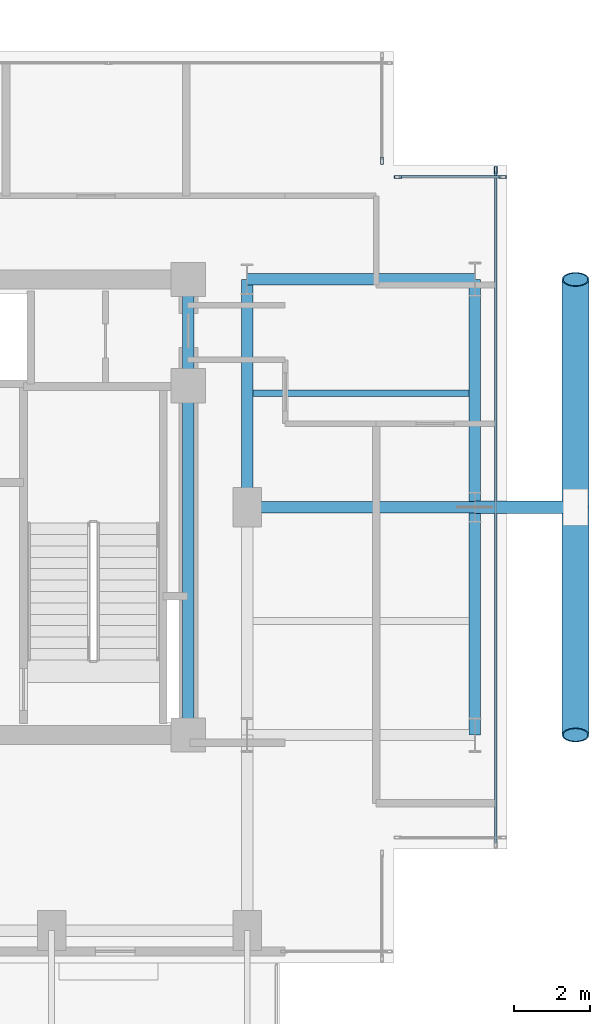
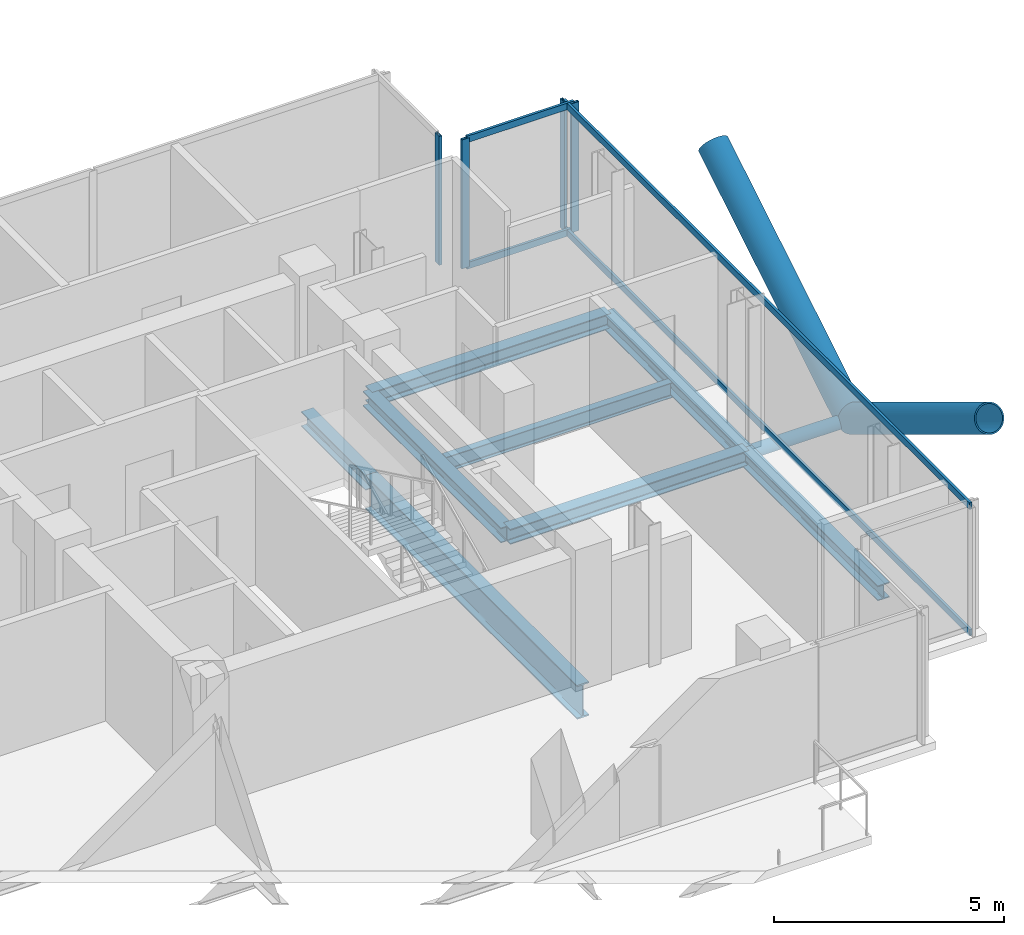
# One storey, part 12 of 25: 11 members, 8 beams, 3 elements without a shape of their own.
"""IFC4 building model written with IfcOpenShell, lengths in metres."""

from ifc_helpers import new_model, si_unit, direction, frame, origin, origin_2d, place, context, subcontext, project, spatial, hollow_rectangle, hollow_circle, i_section, extrude, material, layer, layer_set, material_profile, profile_set, type_object, element, aggregate, save


model = new_model("IFC4")

# Units and contexts
model_context = context("Model", 3, precision=1e-05, world=origin(), true_north=direction((0.0, 1.0)))
body_context = subcontext(model_context, "Body", "Model", "MODEL_VIEW")
ifc_project = project(units=[si_unit("LENGTHUNIT", "METRE"), si_unit("AREAUNIT", "SQUARE_METRE"), si_unit("VOLUMEUNIT", "CUBIC_METRE"), si_unit("PLANEANGLEUNIT", "RADIAN"), si_unit("MASSUNIT", "GRAM", prefix="KILO"), si_unit("THERMODYNAMICTEMPERATUREUNIT", "KELVIN"), si_unit("POWERUNIT", "WATT")], contexts=[model_context])

# Site, building, storey
site_placement = place(None, origin())
site = spatial("IfcSite", under=ifc_project, at=site_placement, CompositionType="ELEMENT")
building_placement = place(site_placement, origin())
building = spatial("IfcBuilding", under=site, at=building_placement, Name="Svarakhadi Broadcast Tower", CompositionType="ELEMENT")
storey_placement = place(building_placement, frame((0.0, 0.0, 231.14990234375)))
storey = spatial("IfcBuildingStorey", under=building, at=storey_placement, Name="L57", CompositionType="ELEMENT", Elevation=231.14990234375)

# Beam
ifc_material_1 = material(Name="Steel S355J2 (IS 2062 E350C)", Category="steel")
ifc_material_profile_1 = material_profile(ifc_material_1, i_section(OverallWidth=0.179931640625, OverallDepth=0.39990234375, WebThickness=0.008544921875, FlangeThickness=0.013427734375, FilletRadius=0.02099609375, at=origin_2d()), Name="NPB 400x180x66")
ifc_profile_set_1 = profile_set([ifc_material_profile_1], Name="Steel S355J2 (IS 2062 E350C)")
beam_type_1 = type_object("IfcBeamType", Name="Beam_NPB400", PredefinedType="BEAM", material=ifc_profile_set_1)
beam_1_placement = place(storey_placement, frame((35.31005859375, 15.0, -0.409912109375), z_axis=(1.0, 0.0, 0.0), x_axis=(0.0, 1.0, 0.0)))
element("IfcBeam", 1, at=beam_1_placement, inside=storey, type_object=beam_type_1, Name="L57 Secondary Composite Beam SB017", PredefinedType="BEAM", context=body_context, shape_type="SweptSolid", body=[
    extrude(i_section(OverallWidth=0.179931640625, OverallDepth=0.39990234375, WebThickness=0.008544921875, FlangeThickness=0.013427734375, FilletRadius=0.02099609375, at=origin_2d()), origin(), (0.0, 0.0, 1.0), 5.679931640625),
])

# Curtain wall, member
ifc_material_2 = material(Name="Anodised Bronze Aluminium AA 6063-T6", Category="aluminium")
ifc_layer = layer(ifc_material_2, 0.18994140625)
ifc_layer_set = layer_set([ifc_layer], Name="Anodised Bronze Aluminium AA 6063-T6")
curtain_wall_type = type_object("IfcCurtainWallType", Name="CW_Sys_04", PredefinedType="NOTDEFINED", material=ifc_layer_set)
curtain_wall_1_placement = place(storey_placement, origin())
curtain_wall_1 = element("IfcCurtainWall", 2, at=curtain_wall_1_placement, inside=storey, type_object=curtain_wall_type, Name="L57 Unitised Facade Curtain Wall 11", PredefinedType="NOTDEFINED")
ifc_material_profile_2 = material_profile(ifc_material_2, hollow_rectangle(XDim=0.070068359375, YDim=0.18994140625, WallThickness=0.005615234375, at=origin_2d()), Name="ALU MULLION 190x70x6")
ifc_profile_set_2 = profile_set([ifc_material_profile_2], Name="Anodised Bronze Aluminium AA 6063-T6")
member_type_1 = type_object("IfcMemberType", Name="CW_Sys_04_Mul", PredefinedType="MULLION", material=ifc_profile_set_2)
member_1_placement = place(storey_placement, frame((38.699951171875, 21.125, 0.0), z_axis=(0.0, 0.0, 1.0), x_axis=(1.0, 0.0, 0.0)))
member_1 = element("IfcMember", 3, at=member_1_placement, type_object=member_type_1, Name="CW-04 mullion 2", PredefinedType="MULLION", context=body_context, shape_type="SweptSolid", body=[
    extrude(hollow_rectangle(XDim=0.070068359375, YDim=0.18994140625, WallThickness=0.005615234375, at=origin_2d()), origin(), (0.0, 0.0, 1.0), 3.425048828125),
])
aggregate(curtain_wall_1, [member_1])

# Curtain wall, members
curtain_wall_2_placement = place(storey_placement, origin())
curtain_wall_2 = element("IfcCurtainWall", 4, at=curtain_wall_2_placement, inside=storey, type_object=curtain_wall_type, Name="L57 Unitised Facade Curtain Wall 12", PredefinedType="NOTDEFINED")
member_2_placement = place(storey_placement, frame((39.125, 20.699951171875, 0.0), z_axis=(0.0, 0.0, 1.0), x_axis=(0.0, 1.0, 0.0)))
member_2 = element("IfcMember", 5, at=member_2_placement, type_object=member_type_1, Name="CW-04 mullion 1", PredefinedType="MULLION", context=body_context, shape_type="SweptSolid", body=[
    extrude(hollow_rectangle(XDim=0.070068359375, YDim=0.18994140625, WallThickness=0.005615234375, at=origin_2d()), origin(), (0.0, 0.0, 1.0), 3.425048828125),
])
member_3_placement = place(storey_placement, frame((41.875, 20.699951171875, 0.0), z_axis=(0.0, 0.0, 1.0), x_axis=(0.0, 1.0, 0.0)))
member_3 = element("IfcMember", 6, at=member_3_placement, type_object=member_type_1, Name="CW-04 mullion 2", PredefinedType="MULLION", context=body_context, shape_type="SweptSolid", body=[
    extrude(hollow_rectangle(XDim=0.070068359375, YDim=0.18994140625, WallThickness=0.005615234375, at=origin_2d()), origin(), (0.0, 0.0, 1.0), 3.425048828125),
])

# Curtain wall, member
curtain_wall_3_placement = place(storey_placement, origin())
curtain_wall_3 = element("IfcCurtainWall", 7, at=curtain_wall_3_placement, inside=storey, type_object=curtain_wall_type, Name="L57 Unitised Facade Curtain Wall 13", PredefinedType="NOTDEFINED")
member_4_placement = place(storey_placement, frame((41.699951171875, 20.875, 0.0), z_axis=(0.0, 0.0, 1.0), x_axis=(1.0, 0.0, 0.0)))
member_4 = element("IfcMember", 8, at=member_4_placement, type_object=member_type_1, Name="CW-04 mullion 1", PredefinedType="MULLION", context=body_context, shape_type="SweptSolid", body=[
    extrude(hollow_rectangle(XDim=0.070068359375, YDim=0.18994140625, WallThickness=0.005615234375, at=origin_2d()), origin(), (0.0, 0.0, 1.0), 3.425048828125),
])

# Member
ifc_material_profile_3 = material_profile(ifc_material_2, hollow_rectangle(XDim=0.06494140625, YDim=0.175048828125, WallThickness=0.0048828125, at=origin_2d()), Name="ALU TRANSOM 175x65x5")
ifc_profile_set_3 = profile_set([ifc_material_profile_3], Name="Anodised Bronze Aluminium AA 6063-T6")
member_type_2 = type_object("IfcMemberType", Name="CW_Sys_04_Trn", PredefinedType="USERDEFINED", material=ifc_profile_set_3)
member_5_placement = place(storey_placement, frame((39.159912109375, 20.699951171875, 0.03271484375), z_axis=(1.0, 0.0, 0.0), x_axis=(0.0, 1.0, 0.0)))
member_5 = element("IfcMember", 9, at=member_5_placement, type_object=member_type_2, Name="CW-04 transom 1.1", ObjectType="TRANSOM", PredefinedType="USERDEFINED", context=body_context, shape_type="SweptSolid", body=[
    extrude(hollow_rectangle(XDim=0.06494140625, YDim=0.175048828125, WallThickness=0.0048828125, at=origin_2d()), origin(), (0.0, 0.0, 1.0), 2.68017578125),
])

member_6_placement = place(storey_placement, frame((39.159912109375, 20.699951171875, 3.392578125), z_axis=(1.0, 0.0, 0.0), x_axis=(0.0, 1.0, 0.0)))
member_6 = element("IfcMember", 10, at=member_6_placement, type_object=member_type_2, Name="CW-04 transom 1.2", ObjectType="TRANSOM", PredefinedType="USERDEFINED", context=body_context, shape_type="SweptSolid", body=[
    extrude(hollow_rectangle(XDim=0.06494140625, YDim=0.175048828125, WallThickness=0.0048828125, at=origin_2d()), origin(), (0.0, 0.0, 1.0), 2.68017578125),
])

aggregate(curtain_wall_2, [member_2, member_3, member_5, member_6])

member_7_placement = place(storey_placement, frame((41.699951171875, 20.840087890625, 0.03271484375), z_axis=(0.0, -1.0, 0.0), x_axis=(1.0, 0.0, 0.0)))
member_7 = element("IfcMember", 11, at=member_7_placement, type_object=member_type_2, Name="CW-04 transom 1.1", ObjectType="TRANSOM", PredefinedType="USERDEFINED", context=body_context, shape_type="SweptSolid", body=[
    extrude(hollow_rectangle(XDim=0.06494140625, YDim=0.175048828125, WallThickness=0.0048828125, at=origin_2d()), origin(), (0.0, 0.0, 1.0), 17.68017578125),
])

member_8_placement = place(storey_placement, frame((41.699951171875, 20.840087890625, 3.392578125), z_axis=(0.0, -1.0, 0.0), x_axis=(1.0, 0.0, 0.0)))
member_8 = element("IfcMember", 12, at=member_8_placement, type_object=member_type_2, Name="CW-04 transom 1.2", ObjectType="TRANSOM", PredefinedType="USERDEFINED", context=body_context, shape_type="SweptSolid", body=[
    extrude(hollow_rectangle(XDim=0.06494140625, YDim=0.175048828125, WallThickness=0.0048828125, at=origin_2d()), origin(), (0.0, 0.0, 1.0), 17.68017578125),
])

aggregate(curtain_wall_3, [member_4, member_7, member_8])

# Members
ifc_material_3 = material(Name="Steel S460ML (IS 2062 E450BR)", Category="steel")
ifc_material_profile_4 = material_profile(ifc_material_3, hollow_circle(Radius=0.35546875, WallThickness=0.034912109375, at=origin_2d()), Name="CHS 711x35")
ifc_profile_set_4 = profile_set([ifc_material_profile_4], Name="Steel S460ML (IS 2062 E450BR)")
member_type_3 = type_object("IfcMemberType", Name="Exo_Brace_CHS711", PredefinedType="BRACE", material=ifc_profile_set_4)
for number, where, z_axis, x_axis, name in (
    (13, (43.800048828125, 12.0, -0.371826171875), (0.0, -0.855283363051, 0.518160562845), (1.0, 0.0, 0.0), "L57 Exposed Bronze Exoskeleton Diagonal E06"),
    (14, (43.800048828125, 12.0, -0.371826171875), (0.0, 0.855283363051, 0.518160562845), (-1.0, 0.0, 0.0), "L57 Exposed Bronze Exoskeleton Diagonal E07"),
):
    element("IfcMember", number, at=place(storey_placement, frame(where, z_axis=z_axis, x_axis=x_axis)), inside=storey, type_object=member_type_3, Name=name, PredefinedType="BRACE", context=body_context, shape_type="SweptSolid", body=[
        extrude(hollow_circle(Radius=0.35546875, WallThickness=0.034912109375, at=origin_2d()), origin(), (0.0, 0.0, 1.0), 7.01513671875),
    ])
ifc_material_profile_5 = material_profile(ifc_material_3, hollow_circle(Radius=0.161865234375, WallThickness=0.01611328125, at=origin_2d()), Name="CHS 323.9x16")
ifc_profile_set_5 = profile_set([ifc_material_profile_5], Name="Steel S460ML (IS 2062 E450BR)")
member_type_4 = type_object("IfcMemberType", Name="Exo_Radial_Strut_Z2", PredefinedType="STRUT", material=ifc_profile_set_5)
member_9_placement = place(storey_placement, frame((43.800048828125, 12.0, -0.371826171875), z_axis=(-1.0, 0.0, 0.0), x_axis=(0.0, -1.0, 0.0)))
element("IfcMember", 15, at=member_9_placement, inside=storey, type_object=member_type_4, Name="L57 Exoskeleton Radial Tie Strut E04", PredefinedType="STRUT", context=body_context, shape_type="SweptSolid", body=[
    extrude(hollow_circle(Radius=0.161865234375, WallThickness=0.01611328125, at=origin_2d()), origin(), (0.0, 0.0, 1.0), 2.650146484375),
])

# Beams
ifc_material_profile_6 = material_profile(ifc_material_1, i_section(OverallWidth=0.300048828125, OverallDepth=0.39990234375, WebThickness=0.013427734375, FlangeThickness=0.02392578125, FilletRadius=0.027099609375, at=origin_2d()), Name="WPB 400x300x155")
ifc_profile_set_6 = profile_set([ifc_material_profile_6], Name="Steel S355J2 (IS 2062 E350C)")
beam_type_2 = type_object("IfcBeamType", Name="Girder_WPB400", PredefinedType="USERDEFINED", material=ifc_profile_set_6)
for number, where, z_axis, x_axis, name in (
    (16, (35.14990234375, 12.0, -0.409912109375), (1.0, 0.0, 0.0), (0.0, 1.0, 0.0), "L57 Primary E-W Girder G019"),
    (17, (35.14990234375, 18.0, -0.409912109375), (1.0, 0.0, 0.0), (0.0, 1.0, 0.0), "L57 Primary E-W Girder G025"),
):
    element("IfcBeam", number, at=place(storey_placement, frame(where, z_axis=z_axis, x_axis=x_axis)), inside=storey, type_object=beam_type_2, Name=name, ObjectType="GIRDER", PredefinedType="USERDEFINED", context=body_context, shape_type="SweptSolid", body=[
        extrude(i_section(OverallWidth=0.300048828125, OverallDepth=0.39990234375, WebThickness=0.013427734375, FlangeThickness=0.02392578125, FilletRadius=0.027099609375, at=origin_2d()), origin(), (0.0, 0.0, 1.0), 6.0),
    ])
beam_2_placement = place(storey_placement, frame((33.60009765625, 15.199951171875, -0.409912109375), z_axis=(0.0, 1.0, 0.0), x_axis=(-1.0, 0.0, 0.0)))
element("IfcBeam", 18, at=beam_2_placement, inside=storey, type_object=beam_type_2, Name="L57 Primary N-S Girder G055", ObjectType="GIRDER", PredefinedType="USERDEFINED", context=body_context, shape_type="SweptSolid", body=[
    extrude(i_section(OverallWidth=0.300048828125, OverallDepth=0.39990234375, WebThickness=0.013427734375, FlangeThickness=0.02392578125, FilletRadius=0.027099609375, at=origin_2d()), origin(), (0.0, 0.0, 1.0), 2.800048828125),
])
for number, where, z_axis, x_axis, name in (
    (19, (35.14990234375, 12.0, -0.409912109375), (0.0, 1.0, 0.0), (-1.0, 0.0, 0.0), "L57 Primary N-S Girder G058"),
    (20, (41.14990234375, 6.0, -0.409912109375), (0.0, 1.0, 0.0), (-1.0, 0.0, 0.0), "L57 Primary N-S Girder G059"),
    (21, (41.14990234375, 12.0, -0.409912109375), (0.0, 1.0, 0.0), (-1.0, 0.0, 0.0), "L57 Primary N-S Girder G060"),
):
    element("IfcBeam", number, at=place(storey_placement, frame(where, z_axis=z_axis, x_axis=x_axis)), inside=storey, type_object=beam_type_2, Name=name, ObjectType="GIRDER", PredefinedType="USERDEFINED", context=body_context, shape_type="SweptSolid", body=[
        extrude(i_section(OverallWidth=0.300048828125, OverallDepth=0.39990234375, WebThickness=0.013427734375, FlangeThickness=0.02392578125, FilletRadius=0.027099609375, at=origin_2d()), origin(), (0.0, 0.0, 1.0), 6.0),
    ])
ifc_material_profile_7 = material_profile(ifc_material_3, i_section(OverallWidth=0.300048828125, OverallDepth=0.89990234375, WebThickness=0.0185546875, FlangeThickness=0.034912109375, FilletRadius=0.030029296875, at=origin_2d()), Name="WPB 900x300x291")
ifc_profile_set_7 = profile_set([ifc_material_profile_7], Name="Steel S460ML (IS 2062 E450BR)")
beam_type_3 = type_object("IfcBeamType", Name="Girder_WPB900", PredefinedType="USERDEFINED", material=ifc_profile_set_7)
beam_3_placement = place(storey_placement, frame((33.60009765625, 6.0, -0.659912109375), z_axis=(0.0, 1.0, 0.0), x_axis=(-1.0, 0.0, 0.0)))
element("IfcBeam", 22, at=beam_3_placement, inside=storey, type_object=beam_type_3, Name="L57 Primary N-S Girder G054", ObjectType="GIRDER", PredefinedType="USERDEFINED", context=body_context, shape_type="SweptSolid", body=[
    extrude(i_section(OverallWidth=0.300048828125, OverallDepth=0.89990234375, WebThickness=0.0185546875, FlangeThickness=0.034912109375, FilletRadius=0.030029296875, at=origin_2d()), origin(), (0.0, 0.0, 1.0), 9.199951171875),
])

save(model, "model.ifc")
